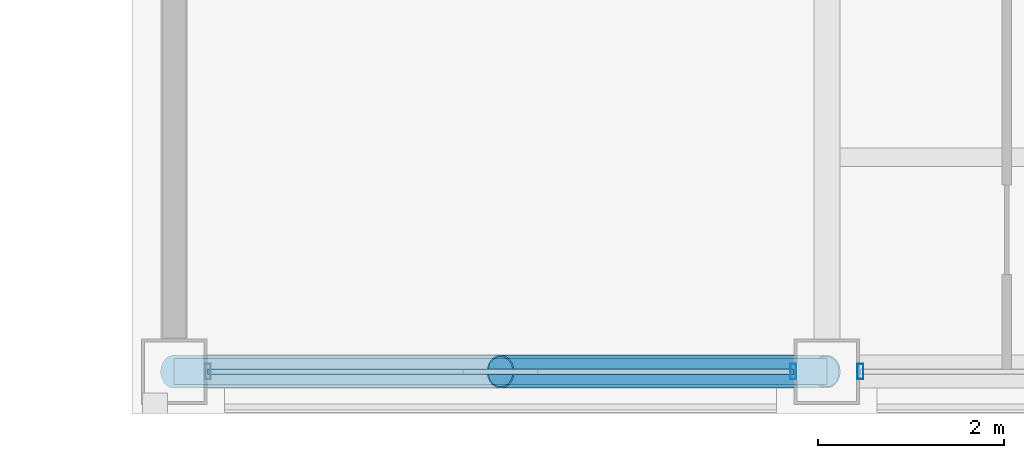
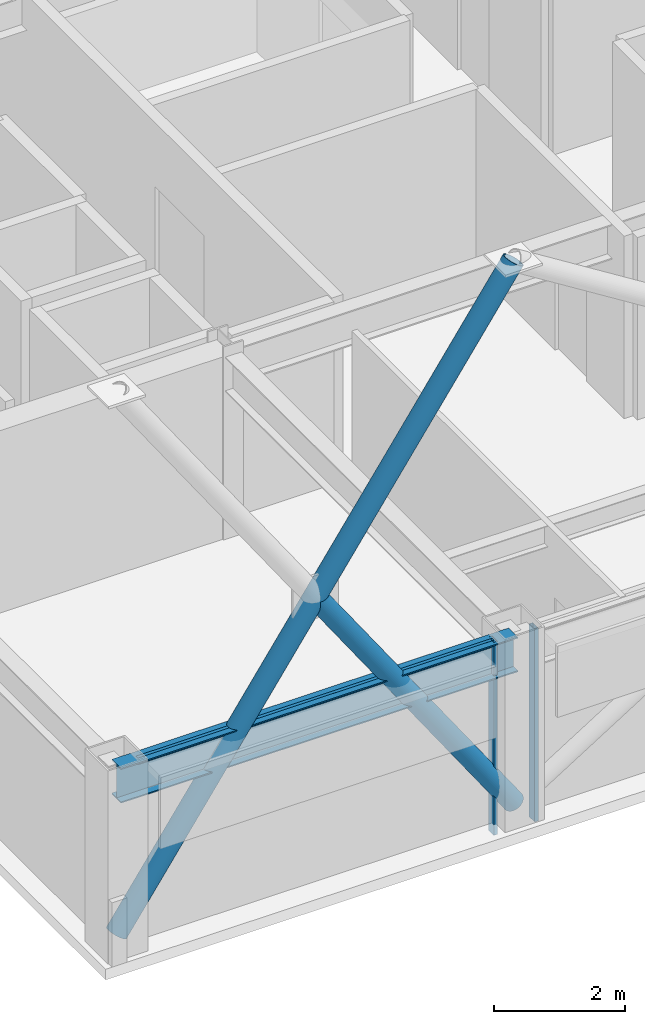
# One storey, part 4 of 33: 5 members, 1 beam, 2 elements without a shape of their own.
"""IFC4 building model written with IfcOpenShell, lengths in metres."""

from ifc_helpers import new_model, si_unit, direction, frame, origin, origin_2d, place, context, subcontext, project, spatial, hollow_rectangle, hollow_circle, i_section, extrude, material, layer, layer_set, material_profile, profile_set, type_object, element, aggregate, save


model = new_model("IFC4")

# Units and contexts
model_context = context("Model", 3, precision=1e-05, world=origin(), true_north=direction((0.0, 1.0)))
body_context = subcontext(model_context, "Body", "Model", "MODEL_VIEW")
ifc_project = project(units=[si_unit("LENGTHUNIT", "METRE"), si_unit("AREAUNIT", "SQUARE_METRE"), si_unit("VOLUMEUNIT", "CUBIC_METRE"), si_unit("PLANEANGLEUNIT", "RADIAN"), si_unit("MASSUNIT", "GRAM", prefix="KILO")], contexts=[model_context])

# Site, building, storey
site_placement = place(None, origin())
site = spatial("IfcSite", under=ifc_project, at=site_placement, CompositionType="ELEMENT")
building_placement = place(site_placement, origin())
building = spatial("IfcBuilding", under=site, at=building_placement, Name="Brelmoor Portico Tower", CompositionType="ELEMENT")
storey_placement = place(building_placement, frame((0.0, 0.0, 183.89990234375)))
storey = spatial("IfcBuildingStorey", under=building, at=storey_placement, Name="L48", CompositionType="ELEMENT", Elevation=183.89990234375)

# Beam
ifc_material_1 = material(Name="Steel Q355B", Category="steel")
ifc_material_profile_1 = material_profile(ifc_material_1, i_section(OverallWidth=0.280029296875, OverallDepth=0.64990234375, WebThickness=0.012939453125, FlangeThickness=0.02197265625, at=origin_2d()), Name="HN 650x280x13x22")
ifc_profile_set_1 = profile_set([ifc_material_profile_1], Name="Steel Q355B")
beam_type = type_object("IfcBeamType", Name="BM-SP-650", PredefinedType="SPANDREL", material=ifc_profile_set_1)
beam_placement = place(storey_placement, frame((-15.050048828125, -18.550048828125, 3.0751953125), z_axis=(1.0, 0.0, 0.0), x_axis=(0.0, 1.0, 0.0)))
element("IfcBeam", 1, at=beam_placement, inside=storey, type_object=beam_type, Name="L48 Perimeter Spandrel Beam SP-01", PredefinedType="SPANDREL", context=body_context, shape_type="SweptSolid", body=[
    extrude(i_section(OverallWidth=0.280029296875, OverallDepth=0.64990234375, WebThickness=0.012939453125, FlangeThickness=0.02197265625, at=origin_2d()), origin(), (0.0, 0.0, 1.0), 7.0),
])

# Members
ifc_material_profile_2 = material_profile(ifc_material_1, hollow_circle(Radius=0.177978515625, WallThickness=0.01611328125, at=origin_2d()), Name="CHS 356x16")
ifc_profile_set_2 = profile_set([ifc_material_profile_2], Name="Steel Q355B")
member_type_1 = type_object("IfcMemberType", Name="MB-BELT-DIAG2", PredefinedType="BRACE", material=ifc_profile_set_2)
member_1_placement = place(storey_placement, frame((-15.050048828125, -18.550048828125, 0.25), z_axis=(0.569629338867, 0.0, 0.821901707203), x_axis=(0.0, 1.0, 0.0)))
element("IfcMember", 2, at=member_1_placement, inside=storey, type_object=member_type_1, Name="L48 Continuous Mega-X Brace 105A", PredefinedType="BRACE", context=body_context, shape_type="SweptSolid", body=[
    extrude(hollow_circle(Radius=0.177978515625, WallThickness=0.01611328125, at=origin_2d()), origin(), (0.0, 0.0, 1.0), 12.28857421875),
])
member_2_placement = place(storey_placement, frame((-8.050048828125, -18.550048828125, 0.25), z_axis=(-0.569629338867, 0.0, 0.821901707203), x_axis=(0.0, -1.0, 0.0)))
element("IfcMember", 3, at=member_2_placement, inside=storey, type_object=member_type_1, Name="L48 Split Mega-X Brace 105B1", PredefinedType="BRACE", context=body_context, shape_type="SweptSolid", body=[
    extrude(hollow_circle(Radius=0.177978515625, WallThickness=0.01611328125, at=origin_2d()), origin(), (0.0, 0.0, 1.0), 6.144287109375),
])

# Curtain wall, member
ifc_material_2 = material(Name="Anodised Aluminium Alloy 6063-T6", Category="aluminium")
ifc_layer = layer(ifc_material_2, 0.179931640625)
ifc_layer_set = layer_set([ifc_layer], Name="Anodised Aluminium Alloy 6063-T6")
curtain_wall_type = type_object("IfcCurtainWallType", Name="CW-TOWER-Z3-XB", PredefinedType="NOTDEFINED", material=ifc_layer_set)
curtain_wall_1_placement = place(storey_placement, origin())
curtain_wall_1 = element("IfcCurtainWall", 4, at=curtain_wall_1_placement, inside=storey, type_object=curtain_wall_type, Name="L48 Curtain Wall CW-L48-01-1", PredefinedType="NOTDEFINED")
ifc_material_profile_3 = material_profile(ifc_material_2, hollow_rectangle(XDim=0.06494140625, YDim=0.1650390625, WallThickness=0.00390625, at=origin_2d()), Name="ALU MULLION 65x165")
ifc_profile_set_3 = profile_set([ifc_material_profile_3], Name="Anodised Aluminium Alloy 6063-T6")
member_type_2 = type_object("IfcMemberType", Name="MB-CW-MULL-165", PredefinedType="MULLION", material=ifc_profile_set_3)
member_3_placement = place(storey_placement, frame((-8.409912109375, -18.550048828125, -0.199951171875), z_axis=(0.0, 0.0, 1.0), x_axis=(1.0, 0.0, 0.0)))
member_3 = element("IfcMember", 5, at=member_3_placement, type_object=member_type_2, Name="CW-L48-01-1 Mullion 01", PredefinedType="MULLION", context=body_context, shape_type="SweptSolid", body=[
    extrude(hollow_rectangle(XDim=0.06494140625, YDim=0.1650390625, WallThickness=0.00390625, at=origin_2d()), origin(), (0.0, 0.0, 1.0), 3.60009765625),
])

curtain_wall_2_placement = place(storey_placement, origin())
curtain_wall_2 = element("IfcCurtainWall", 6, at=curtain_wall_2_placement, inside=storey, type_object=curtain_wall_type, Name="L48 Curtain Wall CW-L48-01-2", PredefinedType="NOTDEFINED")
member_4_placement = place(storey_placement, frame((-7.68994140625, -18.550048828125, -0.199951171875), z_axis=(0.0, 0.0, 1.0), x_axis=(1.0, 0.0, 0.0)))
member_4 = element("IfcMember", 7, at=member_4_placement, type_object=member_type_2, Name="CW-L48-01-2 Mullion 00", PredefinedType="MULLION", context=body_context, shape_type="SweptSolid", body=[
    extrude(hollow_rectangle(XDim=0.06494140625, YDim=0.1650390625, WallThickness=0.00390625, at=origin_2d()), origin(), (0.0, 0.0, 1.0), 3.60009765625),
])
aggregate(curtain_wall_2, [member_4])

# Member
ifc_material_profile_4 = material_profile(ifc_material_2, hollow_rectangle(XDim=0.06005859375, YDim=0.125, WallThickness=0.00341796875, at=origin_2d()), Name="ALU TRANSOM 60x125")
ifc_profile_set_4 = profile_set([ifc_material_profile_4], Name="Anodised Aluminium Alloy 6063-T6")
member_type_3 = type_object("IfcMemberType", Name="MB-CW-TRAN-125", PredefinedType="USERDEFINED", material=ifc_profile_set_4)
member_5_placement = place(storey_placement, frame((-14.68994140625, -18.550048828125, 3.337646484375), z_axis=(1.0, 0.0, 0.0), x_axis=(0.0, 1.0, 0.0)))
member_5 = element("IfcMember", 8, at=member_5_placement, type_object=member_type_3, Name="CW-L48-01-1 Transom 1-00", ObjectType="TRANSOM", PredefinedType="USERDEFINED", context=body_context, shape_type="SweptSolid", body=[
    extrude(hollow_rectangle(XDim=0.06005859375, YDim=0.125, WallThickness=0.00341796875, at=origin_2d()), origin(), (0.0, 0.0, 1.0), 6.280029296875),
])

aggregate(curtain_wall_1, [member_3, member_5])

save(model, "model.ifc")
